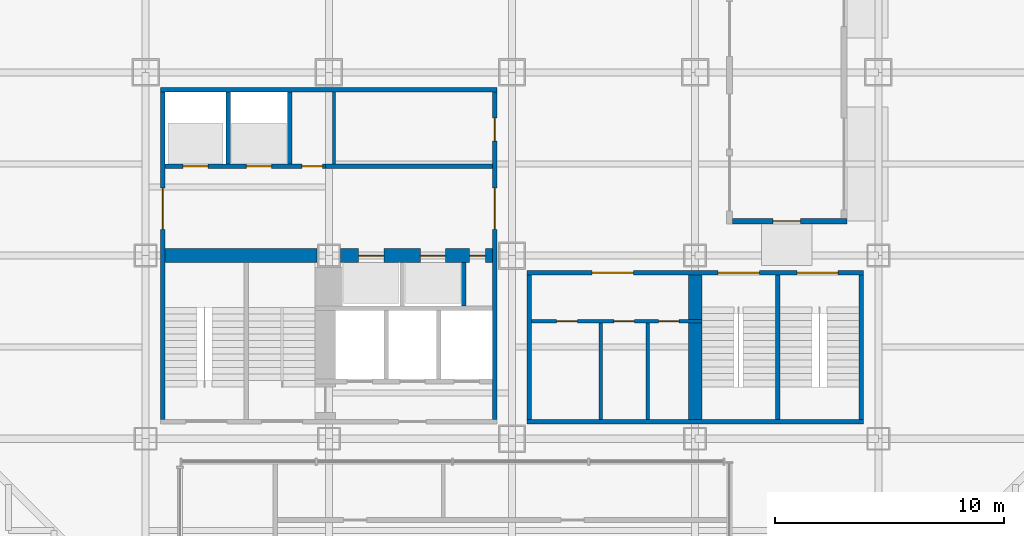
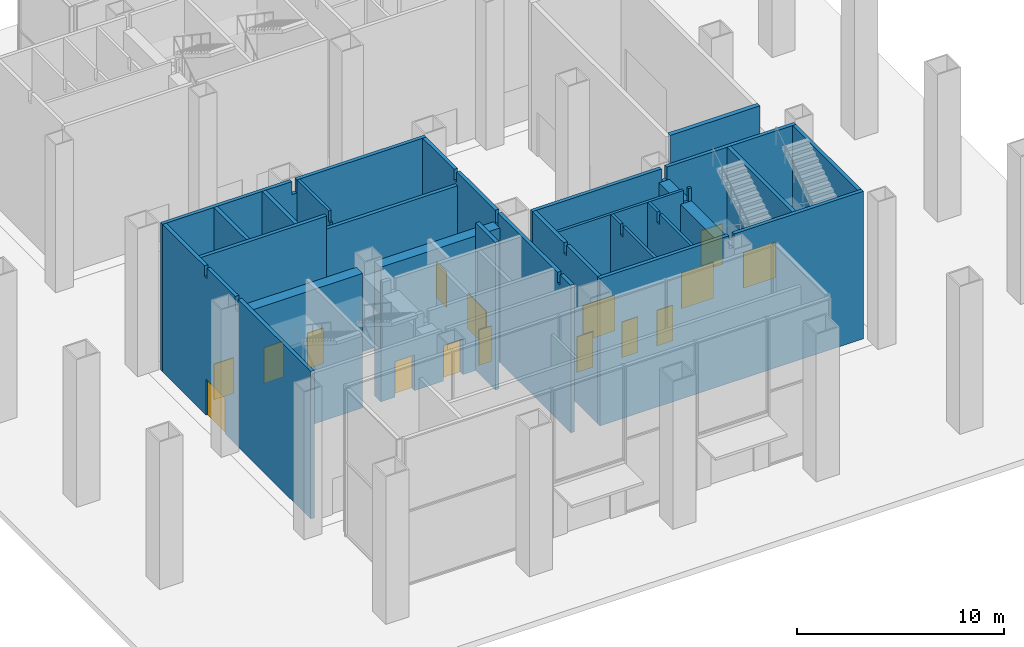
# One storey, part 8 of 14: 22 walls, 16 doors, 16 openings.
"""IFC4 building model written with IfcOpenShell, lengths in metres."""

from ifc_helpers import new_model, si_unit, direction, frame, frame_2d, origin, place, context, subcontext, project, spatial, polyline, rectangle, outline, extrude, material, layer, layer_set, type_object, element, fill, save


model = new_model("IFC4")

# Units and contexts
model_context = context("Model", 3, precision=1e-05, world=origin(), true_north=direction((0.0, 1.0)))
body_context = subcontext(model_context, "Body", "Model", "MODEL_VIEW")
ifc_project = project(units=[si_unit("LENGTHUNIT", "METRE"), si_unit("AREAUNIT", "SQUARE_METRE"), si_unit("VOLUMEUNIT", "CUBIC_METRE"), si_unit("PLANEANGLEUNIT", "RADIAN"), si_unit("MASSUNIT", "GRAM", prefix="KILO")], contexts=[model_context])

# Site, building, storey
site_placement = place(None, origin())
site = spatial("IfcSite", under=ifc_project, at=site_placement, CompositionType="ELEMENT")
building_placement = place(site_placement, origin())
building = spatial("IfcBuilding", under=site, at=building_placement, Name="Immortelle Media Tower", CompositionType="ELEMENT")
storey_placement = place(building_placement, origin())
storey = spatial("IfcBuildingStorey", under=building, at=storey_placement, Name="G", CompositionType="ELEMENT", Elevation=0.0)

# Wall, openings, doors
ifc_material_1 = material(Name="Fire-rated masonry blockwork", Category="masonry")
ifc_layer_1 = layer(ifc_material_1, 0.60009765625)
ifc_layer_set_1 = layer_set([ifc_layer_1], Name="Fire-rated masonry blockwork")
wall_type_1 = type_object("IfcWallType", Name="Core grid-line wall 600", PredefinedType="PARTITIONING", material=ifc_layer_set_1)
wall_1_placement = place(storey_placement, frame((16.510009765625, 16.0, 0.0), z_axis=(0.0, 0.0, 1.0), x_axis=(1.0, 0.0, 0.0)))
wall_1 = element("IfcWall", 1, at=wall_1_placement, inside=storey, type_object=wall_type_1, Name="Core grid-line wall SW", PredefinedType="PARTITIONING", context=body_context, shape_type="SweptSolid", body=[
    extrude(rectangle(XDim=6.639892578125, YDim=0.60009765625, at=frame_2d((3.31982421875, 0.0))), origin(), (0.0, 0.0, 1.0), 7.931884765625),
])
opening_1_placement = place(wall_1_placement, frame((0.7900390625, 0.0, 0.0)))
opening_1 = element("IfcOpeningElement", 2, at=opening_1_placement, cuts=wall_1, Name="Opening LD", PredefinedType="OPENING", context=body_context, shape_type="SweptSolid", body=[
    extrude(rectangle(XDim=1.10009765625, YDim=2.10009765625, at=frame_2d((0.550048828125, 1.050048828125))), frame((0.0, 0.31005859375, 0.0), z_axis=(0.0, -1.0, 0.0), x_axis=(1.0, 0.0, 0.0)), (0.0, 0.0, 1.0), 0.6201171875),
])
opening_2_placement = place(wall_1_placement, frame((3.489990234375, 0.0, 0.0)))
opening_2 = element("IfcOpeningElement", 3, at=opening_2_placement, cuts=wall_1, Name="Opening LD", PredefinedType="OPENING", context=body_context, shape_type="SweptSolid", body=[
    extrude(rectangle(XDim=1.10009765625, YDim=2.10009765625, at=frame_2d((0.550048828125, 1.050048828125))), frame((0.0, 0.31005859375, 0.0), z_axis=(0.0, -1.0, 0.0), x_axis=(1.0, 0.0, 0.0)), (0.0, 0.0, 1.0), 0.6201171875),
])
opening_3_placement = place(wall_1_placement, frame((6.33984375, 0.0, 0.0), z_axis=(0.0, 0.0, 1.0), x_axis=(-1.0, 0.0, 0.0)))
opening_3 = element("IfcOpeningElement", 4, at=opening_3_placement, cuts=wall_1, Name="Opening G-K014", PredefinedType="OPENING", context=body_context, shape_type="SweptSolid", body=[
    extrude(rectangle(XDim=0.699951171875, YDim=2.10009765625, at=frame_2d((0.35009765625, 1.050048828125))), frame((0.0, 0.31005859375, 0.0), z_axis=(0.0, -1.0, 0.0), x_axis=(1.0, 0.0, 0.0)), (0.0, 0.0, 1.0), 0.6201171875),
])
ifc_material_2 = material(Name="Stainless steel AISI 304", Category="steel")
door_type_1 = type_object("IfcDoorType", Name="Landing door 1100 x 2100", OperationType="SLIDING_TO_LEFT", PredefinedType="NOTDEFINED", material=ifc_material_2)
door_1_placement = place(opening_1_placement, origin())
door_1 = element("IfcDoor", 5, at=door_1_placement, inside=storey, type_object=door_type_1, Name="Landing door SK1 G", OperationType="SLIDING_TO_LEFT", OverallHeight=2.10009765625, OverallWidth=1.10009765625, PredefinedType="NOTDEFINED", context=body_context, shape_type="SweptSolid", body=[
    extrude(rectangle(XDim=1.10009765625, YDim=2.10009765625, at=frame_2d((0.550048828125, 1.050048828125))), frame((0.0, 0.02490234375, 0.0), z_axis=(0.0, -1.0, 0.0), x_axis=(1.0, 0.0, 0.0)), (0.0, 0.0, 1.0), 0.050048828125),
])
fill(opening_1, door_1)
door_2_placement = place(opening_2_placement, origin())
door_2 = element("IfcDoor", 6, at=door_2_placement, inside=storey, type_object=door_type_1, Name="Landing door SK2 G", OperationType="SLIDING_TO_LEFT", OverallHeight=2.10009765625, OverallWidth=1.10009765625, PredefinedType="NOTDEFINED", context=body_context, shape_type="SweptSolid", body=[
    extrude(rectangle(XDim=1.10009765625, YDim=2.10009765625, at=frame_2d((0.550048828125, 1.050048828125))), frame((0.0, 0.02490234375, 0.0), z_axis=(0.0, -1.0, 0.0), x_axis=(1.0, 0.0, 0.0)), (0.0, 0.0, 1.0), 0.050048828125),
])
fill(opening_2, door_2)
ifc_material_3 = material(Name="Galvanised steel door leaf and frame ASTM A653", Category="steel")
door_type_2 = type_object("IfcDoorType", Name="Service door 700 x 2100", OperationType="NOTDEFINED", PredefinedType="NOTDEFINED", material=ifc_material_3)
door_3_placement = place(opening_3_placement, origin())
door_3 = element("IfcDoor", 7, at=door_3_placement, inside=storey, type_object=door_type_2, Name="Service G-K014", OperationType="SINGLE_SWING_RIGHT", OverallHeight=2.10009765625, OverallWidth=0.699951171875, PredefinedType="NOTDEFINED", context=body_context, shape_type="SweptSolid", body=[
    extrude(rectangle(XDim=0.699951171875, YDim=2.10009765625, at=frame_2d((0.35009765625, 1.050048828125))), frame((0.0, 0.02490234375, 0.0), z_axis=(0.0, -1.0, 0.0), x_axis=(1.0, 0.0, 0.0)), (0.0, 0.0, 1.0), 0.050048828125),
])
fill(opening_3, door_3)

# Wall
ifc_material_4 = material(Name="Fire-rated gypsum board", Category="gypsum")
ifc_layer_2 = layer(ifc_material_4, 0.02490234375)
ifc_material_5 = material(Name="Steel ASTM A653 SS Gr 50 stud frame with mineral wool", Category="steel")
ifc_layer_3 = layer(ifc_material_5, 0.10009765625)
ifc_layer_4 = layer(ifc_material_4, 0.02490234375)
ifc_layer_set_2 = layer_set([ifc_layer_2, ifc_layer_3, ifc_layer_4], Name="Steel ASTM A653 SS Gr 50 stud frame with mineral wool")
wall_type_2 = type_object("IfcWallType", Name="Core partition 150", PredefinedType="PARTITIONING", material=ifc_layer_set_2)
wall_2_placement = place(storey_placement, frame((16.22509765625, 20.0, 0.0), z_axis=(0.0, 0.0, 1.0), x_axis=(0.0, 1.0, 0.0)))
element("IfcWall", 8, at=wall_2_placement, inside=storey, type_object=wall_type_2, Name="Core partition SW", PredefinedType="PARTITIONING", context=body_context, shape_type="SweptSolid", body=[
    extrude(outline(polyline([(0.0, 0.0), (3.14990234375, 0.0), (3.14990234375, 8.699951171875), (0.119384765625, 8.699951171875), (0.118408203125, 8.08203125), (0.0, 8.08203125), (0.0, 0.0)])), frame((0.0, 0.074951171875, 0.0), z_axis=(0.0, -1.0, 0.0), x_axis=(1.0, 0.0, 0.0)), (0.0, 0.0, 1.0), 0.14990234375),
])

# Wall, openings, doors
wall_3_placement = place(storey_placement, frame((24.85009765625, 13.125, 0.0), z_axis=(0.0, 0.0, 1.0), x_axis=(1.0, 0.0, 0.0)))
wall_3 = element("IfcWall", 9, at=wall_3_placement, inside=storey, type_object=wall_type_2, Name="Core partition SE", PredefinedType="PARTITIONING", context=body_context, shape_type="SweptSolid", body=[
    extrude(outline(polyline([(0.0, 0.0), (7.449951171875, 0.0), (7.449951171875, 8.699951171875), (7.28857421875, 8.699951171875), (7.28759765625, 7.931884765625), (7.012451171875, 7.931884765625), (7.011474609375, 8.699951171875), (0.0, 8.699951171875), (0.0, 0.0)])), frame((0.0, 0.074951171875, 0.0), z_axis=(0.0, -1.0, 0.0), x_axis=(1.0, 0.0, 0.0)), (0.0, 0.0, 1.0), 0.14990234375),
])
opening_4_placement = place(wall_3_placement, frame((2.0, 0.0, 0.0), z_axis=(0.0, 0.0, 1.0), x_axis=(-1.0, 0.0, 0.0)))
opening_4 = element("IfcOpeningElement", 10, at=opening_4_placement, cuts=wall_3, Name="Opening G-K017", PredefinedType="OPENING", context=body_context, shape_type="SweptSolid", body=[
    extrude(rectangle(XDim=0.89990234375, YDim=2.10009765625, at=frame_2d((0.449951171875, 1.050048828125))), frame((0.0, 0.0849609375, 0.0), z_axis=(0.0, -1.0, 0.0), x_axis=(1.0, 0.0, 0.0)), (0.0, 0.0, 1.0), 0.169921875),
])
opening_5_placement = place(wall_3_placement, frame((4.5, 0.0, 0.0), z_axis=(0.0, 0.0, 1.0), x_axis=(-1.0, 0.0, 0.0)))
opening_5 = element("IfcOpeningElement", 11, at=opening_5_placement, cuts=wall_3, Name="Opening G-K019", PredefinedType="OPENING", context=body_context, shape_type="SweptSolid", body=[
    extrude(rectangle(XDim=0.89990234375, YDim=2.10009765625, at=frame_2d((0.449951171875, 1.050048828125))), frame((0.0, 0.0849609375, 0.0), z_axis=(0.0, -1.0, 0.0), x_axis=(1.0, 0.0, 0.0)), (0.0, 0.0, 1.0), 0.169921875),
])
opening_6_placement = place(wall_3_placement, frame((6.449951171875, 0.0, 0.0), z_axis=(0.0, 0.0, 1.0), x_axis=(-1.0, 0.0, 0.0)))
opening_6 = element("IfcOpeningElement", 12, at=opening_6_placement, cuts=wall_3, Name="Opening G-K020", PredefinedType="OPENING", context=body_context, shape_type="SweptSolid", body=[
    extrude(rectangle(XDim=0.89990234375, YDim=2.10009765625, at=frame_2d((0.449951171875, 1.050048828125))), frame((0.0, 0.0849609375, 0.0), z_axis=(0.0, -1.0, 0.0), x_axis=(1.0, 0.0, 0.0)), (0.0, 0.0, 1.0), 0.169921875),
])
ifc_material_6 = material(Name="Timber", Category="wood")
door_type_3 = type_object("IfcDoorType", Name="Room door 900 x 2100", OperationType="NOTDEFINED", PredefinedType="NOTDEFINED", material=ifc_material_6)
door_4_placement = place(opening_4_placement, origin())
door_4 = element("IfcDoor", 13, at=door_4_placement, inside=storey, type_object=door_type_3, Name="Room G-K017", OperationType="SINGLE_SWING_RIGHT", OverallHeight=2.10009765625, OverallWidth=0.89990234375, PredefinedType="NOTDEFINED", context=body_context, shape_type="SweptSolid", body=[
    extrude(rectangle(XDim=0.89990234375, YDim=2.10009765625, at=frame_2d((0.449951171875, 1.050048828125))), frame((0.0, 0.02490234375, 0.0), z_axis=(0.0, -1.0, 0.0), x_axis=(1.0, 0.0, 0.0)), (0.0, 0.0, 1.0), 0.050048828125),
])
fill(opening_4, door_4)
door_5_placement = place(opening_5_placement, origin())
door_5 = element("IfcDoor", 14, at=door_5_placement, inside=storey, type_object=door_type_3, Name="Room G-K019", OperationType="SINGLE_SWING_RIGHT", OverallHeight=2.10009765625, OverallWidth=0.89990234375, PredefinedType="NOTDEFINED", context=body_context, shape_type="SweptSolid", body=[
    extrude(rectangle(XDim=0.89990234375, YDim=2.10009765625, at=frame_2d((0.449951171875, 1.050048828125))), frame((0.0, 0.02490234375, 0.0), z_axis=(0.0, -1.0, 0.0), x_axis=(1.0, 0.0, 0.0)), (0.0, 0.0, 1.0), 0.050048828125),
])
fill(opening_5, door_5)
door_type_4 = type_object("IfcDoorType", Name="Service door 900 x 2100", OperationType="NOTDEFINED", PredefinedType="NOTDEFINED", material=ifc_material_3)
door_6_placement = place(opening_6_placement, origin())
door_6 = element("IfcDoor", 15, at=door_6_placement, inside=storey, type_object=door_type_4, Name="Service G-K020", OperationType="SINGLE_SWING_LEFT", OverallHeight=2.10009765625, OverallWidth=0.89990234375, PredefinedType="NOTDEFINED", context=body_context, shape_type="SweptSolid", body=[
    extrude(rectangle(XDim=0.89990234375, YDim=2.10009765625, at=frame_2d((0.449951171875, 1.050048828125))), frame((0.0, 0.02490234375, 0.0), z_axis=(0.0, -1.0, 0.0), x_axis=(1.0, 0.0, 0.0)), (0.0, 0.0, 1.0), 0.050048828125),
])
fill(opening_6, door_6)

# Walls
for number, where, z_axis, x_axis, name in (
    (16, (27.875, 8.85009765625, 0.0), (0.0, 0.0, 1.0), (0.0, 1.0, 0.0), "Core partition SE"),
    (17, (29.925048828125, 8.85009765625, 0.0), (0.0, 0.0, 1.0), (0.0, 1.0, 0.0), "Core partition SE"),
):
    element("IfcWall", number, at=place(storey_placement, frame(where, z_axis=z_axis, x_axis=x_axis)), inside=storey, type_object=wall_type_2, Name=name, PredefinedType="PARTITIONING", context=body_context, shape_type="SweptSolid", body=[
        extrude(outline(polyline([(0.0, 0.0), (4.199951171875, 0.0), (4.199951171875, 8.699951171875), (3.26953125, 8.699951171875), (3.2685546875, 8.08203125), (3.031494140625, 8.08203125), (3.030517578125, 8.699951171875), (0.0, 8.699951171875), (0.0, 0.0)])), frame((0.0, 0.074951171875, 0.0), z_axis=(0.0, -1.0, 0.0), x_axis=(1.0, 0.0, 0.0)), (0.0, 0.0, 1.0), 0.14990234375),
    ])
ifc_layer_5 = layer(ifc_material_4, 0.03759765625)
ifc_layer_6 = layer(ifc_material_5, 0.125)
ifc_layer_7 = layer(ifc_material_4, 0.03759765625)
ifc_layer_set_3 = layer_set([ifc_layer_5, ifc_layer_6, ifc_layer_7], Name="Steel ASTM A653 SS Gr 50 stud frame with mineral wool")
wall_type_3 = type_object("IfcWallType", Name="Core shaft wall 200", PredefinedType="PARTITIONING", material=ifc_layer_set_3)
wall_4_placement = place(storey_placement, frame((8.64990234375, 23.25, 0.0), z_axis=(0.0, 0.0, 1.0), x_axis=(1.0, 0.0, 0.0)))
element("IfcWall", 18, at=wall_4_placement, inside=storey, type_object=wall_type_3, Name="Core shaft wall SW", PredefinedType="PARTITIONING", context=body_context, shape_type="SweptSolid", body=[
    extrude(outline(polyline([(0.0, 0.0), (14.7001953125, 0.0), (14.699951171875, 8.699951171875), (7.488525390625, 8.699951171875), (7.487548828125, 7.931884765625), (7.21240234375, 7.931884765625), (7.21142578125, 8.699951171875), (0.0, 8.699951171875), (0.0, 0.0)])), frame((0.0, 0.10009765625, 0.0), z_axis=(0.0, -1.0, 0.0), x_axis=(1.0, 0.0, 0.0)), (0.0, 0.0, 1.0), 0.199951171875),
])

# Wall, openings, doors
wall_5_placement = place(storey_placement, frame((8.85009765625, 19.89990234375, 0.0), z_axis=(0.0, 0.0, 1.0), x_axis=(1.0, 0.0, 0.0)))
wall_5 = element("IfcWall", 19, at=wall_5_placement, inside=storey, type_object=wall_type_3, Name="Core shaft wall SW", PredefinedType="PARTITIONING", context=body_context, shape_type="SweptSolid", body=[
    extrude(rectangle(XDim=7.012451171875, YDim=0.199951171875, at=frame_2d((3.50634765625, 0.0))), origin(), (0.0, 0.0, 1.0), 8.699951171875),
])
opening_7_placement = place(wall_5_placement, frame((0.77490234375, 0.0, 0.0)))
opening_7 = element("IfcOpeningElement", 20, at=opening_7_placement, cuts=wall_5, Name="Opening LD", PredefinedType="OPENING", context=body_context, shape_type="SweptSolid", body=[
    extrude(rectangle(XDim=1.10009765625, YDim=2.10009765625, at=frame_2d((0.550048828125, 1.050048828125))), frame((0.0, 0.10986328125, 0.0), z_axis=(0.0, -1.0, 0.0), x_axis=(1.0, 0.0, 0.0)), (0.0, 0.0, 1.0), 0.219970703125),
])
opening_8_placement = place(wall_5_placement, frame((3.550048828125, 0.0, 0.0)))
opening_8 = element("IfcOpeningElement", 21, at=opening_8_placement, cuts=wall_5, Name="Opening LD", PredefinedType="OPENING", context=body_context, shape_type="SweptSolid", body=[
    extrude(rectangle(XDim=1.10009765625, YDim=2.10009765625, at=frame_2d((0.550048828125, 1.050048828125))), frame((0.0, 0.10986328125, 0.0), z_axis=(0.0, -1.0, 0.0), x_axis=(1.0, 0.0, 0.0)), (0.0, 0.0, 1.0), 0.219970703125),
])
opening_9_placement = place(wall_5_placement, frame((5.97509765625, 0.0, 0.0)))
opening_9 = element("IfcOpeningElement", 22, at=opening_9_placement, cuts=wall_5, Name="Opening G-K006", PredefinedType="OPENING", context=body_context, shape_type="SweptSolid", body=[
    extrude(rectangle(XDim=0.89990234375, YDim=2.10009765625, at=frame_2d((0.449951171875, 1.050048828125))), frame((0.0, 0.10986328125, 0.0), z_axis=(0.0, -1.0, 0.0), x_axis=(1.0, 0.0, 0.0)), (0.0, 0.0, 1.0), 0.219970703125),
])
door_7_placement = place(opening_7_placement, origin())
door_7 = element("IfcDoor", 23, at=door_7_placement, inside=storey, type_object=door_type_1, Name="Landing door SA1 G", OperationType="SLIDING_TO_LEFT", OverallHeight=2.10009765625, OverallWidth=1.10009765625, PredefinedType="NOTDEFINED", context=body_context, shape_type="SweptSolid", body=[
    extrude(rectangle(XDim=1.10009765625, YDim=2.10009765625, at=frame_2d((0.550048828125, 1.050048828125))), frame((0.0, 0.02490234375, 0.0), z_axis=(0.0, -1.0, 0.0), x_axis=(1.0, 0.0, 0.0)), (0.0, 0.0, 1.0), 0.050048828125),
])
fill(opening_7, door_7)
door_8_placement = place(opening_8_placement, origin())
door_8 = element("IfcDoor", 24, at=door_8_placement, inside=storey, type_object=door_type_1, Name="Landing door SA2 G", OperationType="SLIDING_TO_LEFT", OverallHeight=2.10009765625, OverallWidth=1.10009765625, PredefinedType="NOTDEFINED", context=body_context, shape_type="SweptSolid", body=[
    extrude(rectangle(XDim=1.10009765625, YDim=2.10009765625, at=frame_2d((0.550048828125, 1.050048828125))), frame((0.0, 0.02490234375, 0.0), z_axis=(0.0, -1.0, 0.0), x_axis=(1.0, 0.0, 0.0)), (0.0, 0.0, 1.0), 0.050048828125),
])
fill(opening_8, door_8)
door_9_placement = place(opening_9_placement, origin())
door_9 = element("IfcDoor", 25, at=door_9_placement, inside=storey, type_object=door_type_3, Name="Room G-K006", OperationType="SINGLE_SWING_RIGHT", OverallHeight=2.10009765625, OverallWidth=0.89990234375, PredefinedType="NOTDEFINED", context=body_context, shape_type="SweptSolid", body=[
    extrude(rectangle(XDim=0.89990234375, YDim=2.10009765625, at=frame_2d((0.449951171875, 1.050048828125))), frame((0.0, 0.02490234375, 0.0), z_axis=(0.0, -1.0, 0.0), x_axis=(1.0, 0.0, 0.0)), (0.0, 0.0, 1.0), 0.050048828125),
])
fill(opening_9, door_9)

# Walls
wall_6_placement = place(storey_placement, frame((15.862548828125, 19.89990234375, 0.0), z_axis=(0.0, 0.0, 1.0), x_axis=(1.0, 0.0, 0.0)))
element("IfcWall", 26, at=wall_6_placement, inside=storey, type_object=wall_type_3, Name="Core shaft wall SW", PredefinedType="PARTITIONING", context=body_context, shape_type="SweptSolid", body=[
    extrude(rectangle(XDim=7.287353515625, YDim=0.199951171875, at=frame_2d((3.6435546875, 0.0))), origin(), (0.0, 0.0, 1.0), 7.931884765625),
])
for number, where, z_axis, x_axis, name in (
    (27, (11.60009765625, 20.0, 0.0), (0.0, 0.0, 1.0), (0.0, 1.0, 0.0), "Core shaft wall SW"),
    (28, (14.300048828125, 20.0, 0.0), (0.0, 0.0, 1.0), (0.0, 1.0, 0.0), "Core shaft wall SW"),
):
    element("IfcWall", number, at=place(storey_placement, frame(where, z_axis=z_axis, x_axis=x_axis)), inside=storey, type_object=wall_type_3, Name=name, PredefinedType="PARTITIONING", context=body_context, shape_type="SweptSolid", body=[
        extrude(rectangle(XDim=3.14990234375, YDim=0.199951171875, at=frame_2d((1.574951171875, 0.0))), origin(), (0.0, 0.0, 1.0), 8.699951171875),
    ])
wall_7_placement = place(storey_placement, frame((21.89990234375, 13.800048828125, 0.0), z_axis=(0.0, 0.0, 1.0), x_axis=(0.0, 1.0, 0.0)))
element("IfcWall", 29, at=wall_7_placement, inside=storey, type_object=wall_type_3, Name="Core shaft wall SW", PredefinedType="PARTITIONING", context=body_context, shape_type="SweptSolid", body=[
    extrude(rectangle(XDim=1.89990234375, YDim=0.199951171875, at=frame_2d((0.949951171875, 0.0))), origin(), (0.0, 0.0, 1.0), 8.699951171875),
])

# Wall, openings, doors
wall_8_placement = place(storey_placement, frame((23.25, 8.85009765625, 0.0), z_axis=(0.0, 0.0, 1.0), x_axis=(0.0, 1.0, 0.0)))
wall_8 = element("IfcWall", 30, at=wall_8_placement, inside=storey, type_object=wall_type_3, Name="Core shaft wall SW", PredefinedType="PARTITIONING", context=body_context, shape_type="SweptSolid", body=[
    extrude(outline(polyline([(0.0, 0.0), (14.2998046875, 0.0), (14.300048828125, 8.699951171875), (11.26953125, 8.699951171875), (11.2685546875, 8.08203125), (11.031494140625, 8.08203125), (11.030517578125, 8.699951171875), (7.28857421875, 8.699951171875), (7.28759765625, 7.931884765625), (7.012451171875, 7.931884765625), (7.011474609375, 8.699951171875), (1.26953125, 8.699951171875), (1.2685546875, 8.08203125), (1.031494140625, 8.08203125), (1.030517578125, 8.699951171875), (0.0, 8.699951171875), (0.0, 0.0)])), frame((0.0, 0.10009765625, 0.0), z_axis=(0.0, -1.0, 0.0), x_axis=(1.0, 0.0, 0.0)), (0.0, 0.0, 1.0), 0.199951171875),
])
opening_10_placement = place(wall_8_placement, frame((8.300048828125, 0.0, 0.0)))
opening_10 = element("IfcOpeningElement", 31, at=opening_10_placement, cuts=wall_8, Name="Opening G-K015", PredefinedType="OPENING", context=body_context, shape_type="SweptSolid", body=[
    extrude(rectangle(XDim=1.800048828125, YDim=2.10009765625, at=frame_2d((0.89990234375, 1.050048828125))), frame((0.0, 0.10986328125, 0.0), z_axis=(0.0, -1.0, 0.0), x_axis=(1.0, 0.0, 0.0)), (0.0, 0.0, 1.0), 0.219970703125),
])
opening_11_placement = place(wall_8_placement, frame((13.14990234375, 0.0, 0.0), z_axis=(0.0, 0.0, 1.0), x_axis=(-1.0, 0.0, 0.0)))
opening_11 = element("IfcOpeningElement", 32, at=opening_11_placement, cuts=wall_8, Name="Opening G-K016", PredefinedType="OPENING", context=body_context, shape_type="SweptSolid", body=[
    extrude(rectangle(XDim=1.0, YDim=2.10009765625, at=frame_2d((0.5, 1.050048828125))), frame((0.0, 0.10986328125, 0.0), z_axis=(0.0, -1.0, 0.0), x_axis=(1.0, 0.0, 0.0)), (0.0, 0.0, 1.0), 0.219970703125),
])
door_type_5 = type_object("IfcDoorType", Name="Fire command room door 1000 x 2100", OperationType="NOTDEFINED", PredefinedType="NOTDEFINED", material=ifc_material_3)
door_10_placement = place(opening_11_placement, origin())
door_10 = element("IfcDoor", 33, at=door_10_placement, inside=storey, type_object=door_type_5, Name="Fire command room G-K016", OperationType="SINGLE_SWING_RIGHT", OverallHeight=2.10009765625, OverallWidth=1.0, PredefinedType="NOTDEFINED", context=body_context, shape_type="SweptSolid", body=[
    extrude(rectangle(XDim=1.0, YDim=2.10009765625, at=frame_2d((0.5, 1.050048828125))), frame((0.0, 0.02490234375, 0.0), z_axis=(0.0, -1.0, 0.0), x_axis=(1.0, 0.0, 0.0)), (0.0, 0.0, 1.0), 0.050048828125),
])
fill(opening_11, door_10)
door_type_6 = type_object("IfcDoorType", Name="Lift lobby door 1800 x 2100", OperationType="DOUBLE_DOOR_SINGLE_SWING", PredefinedType="NOTDEFINED", material=ifc_material_3)
door_11_placement = place(opening_10_placement, origin())
door_11 = element("IfcDoor", 34, at=door_11_placement, inside=storey, type_object=door_type_6, Name="Lift lobby G-K015", OperationType="DOUBLE_DOOR_SINGLE_SWING", OverallHeight=2.10009765625, OverallWidth=1.800048828125, PredefinedType="NOTDEFINED", context=body_context, shape_type="SweptSolid", body=[
    extrude(rectangle(XDim=1.800048828125, YDim=2.10009765625, at=frame_2d((0.89990234375, 1.050048828125))), frame((0.0, 0.02490234375, 0.0), z_axis=(0.0, -1.0, 0.0), x_axis=(1.0, 0.0, 0.0)), (0.0, 0.0, 1.0), 0.050048828125),
])
fill(opening_10, door_11)

# Wall
wall_9_placement = place(storey_placement, frame((24.75, 8.85009765625, 0.0), z_axis=(0.0, 0.0, 1.0), x_axis=(0.0, 1.0, 0.0)))
element("IfcWall", 35, at=wall_9_placement, inside=storey, type_object=wall_type_3, Name="Core shaft wall SE", PredefinedType="PARTITIONING", context=body_context, shape_type="SweptSolid", body=[
    extrude(outline(polyline([(0.0, 0.0), (6.2998046875, 0.0), (6.300048828125, 8.699951171875), (3.26953125, 8.699951171875), (3.2685546875, 8.08203125), (3.031494140625, 8.08203125), (3.030517578125, 8.699951171875), (0.0, 8.699951171875), (0.0, 0.0)])), frame((0.0, 0.10009765625, 0.0), z_axis=(0.0, -1.0, 0.0), x_axis=(1.0, 0.0, 0.0)), (0.0, 0.0, 1.0), 0.199951171875),
])

# Wall, opening, door
ifc_material_7 = material(Name="Pale aluminium cladding panel", Category="aluminium")
ifc_layer_8 = layer(ifc_material_7, 0.030029296875)
ifc_layer_9 = layer(ifc_material_5, 0.20751953125)
ifc_material_8 = material(Name="Moisture-resistant gypsum board", Category="gypsum")
ifc_layer_10 = layer(ifc_material_8, 0.012451171875)
ifc_layer_set_4 = layer_set([ifc_layer_8, ifc_layer_9, ifc_layer_10], Name="Steel ASTM A653 SS Gr 50 stud frame with mineral wool")
wall_type_4 = type_object("IfcWallType", Name="Pavilion portal wall 250", PredefinedType="STANDARD", material=ifc_layer_set_4)
wall_10_placement = place(storey_placement, frame((33.625, 17.5, 0.0), z_axis=(0.0, 0.0, 1.0), x_axis=(1.0, 0.0, 0.0)))
wall_10 = element("IfcWall", 36, at=wall_10_placement, inside=storey, type_object=wall_type_4, Name="Service pavilion wall G S 4", PredefinedType="STANDARD", context=body_context, shape_type="SweptSolid", body=[
    extrude(rectangle(XDim=5.0, YDim=0.25, at=frame_2d((2.5, 0.0))), origin(), (0.0, 0.0, 1.0), 8.699951171875),
])
opening_12_placement = place(wall_10_placement, frame((2.974853515625, 0.0, 0.0), z_axis=(0.0, 0.0, 1.0), x_axis=(-1.0, 0.0, 0.0)))
opening_12 = element("IfcOpeningElement", 37, at=opening_12_placement, cuts=wall_10, Name="Opening G-E07", PredefinedType="OPENING", context=body_context, shape_type="SweptSolid", body=[
    extrude(rectangle(XDim=1.199951171875, YDim=2.39990234375, at=frame_2d((0.60009765625, 1.199951171875))), frame((0.0, 0.135009765625, 0.0), z_axis=(0.0, -1.0, 0.0), x_axis=(1.0, 0.0, 0.0)), (0.0, 0.0, 1.0), 0.27001953125),
])
ifc_material_9 = material(Name="Galvanised steel door leaf ASTM A653, polyester powder coated", Category="steel")
door_type_7 = type_object("IfcDoorType", Name="Service door 1200", OperationType="NOTDEFINED", PredefinedType="DOOR", material=ifc_material_9)
door_12_placement = place(opening_12_placement, origin())
door_12 = element("IfcDoor", 38, at=door_12_placement, inside=storey, type_object=door_type_7, Name="Service door G-E07", OperationType="SINGLE_SWING_LEFT", OverallHeight=2.39990234375, OverallWidth=1.199951171875, PredefinedType="DOOR", context=body_context, shape_type="SweptSolid", body=[
    extrude(rectangle(XDim=1.199951171875, YDim=2.39990234375, at=frame_2d((0.60009765625, 1.199951171875))), frame((0.0, 0.02490234375, 0.0), z_axis=(0.0, -1.0, 0.0), x_axis=(1.0, 0.0, 0.0)), (0.0, 0.0, 1.0), 0.050048828125),
])
fill(opening_12, door_12)

ifc_material_10 = material(Name="Concrete C60", Category="concrete")
ifc_layer_11 = layer(ifc_material_10, 0.199951171875)
ifc_layer_set_5 = layer_set([ifc_layer_11], Name="Concrete C60")
wall_type_5 = type_object("IfcWallType", Name="Stair shaft wall 200", PredefinedType="PARTITIONING", material=ifc_layer_set_5)
wall_11_placement = place(storey_placement, frame((8.75, 8.85009765625, 0.0), z_axis=(0.0, 0.0, 1.0), x_axis=(0.0, 1.0, 0.0)))
wall_11 = element("IfcWall", 39, at=wall_11_placement, inside=storey, type_object=wall_type_5, Name="Stair shaft wall SW", PredefinedType="PARTITIONING", context=body_context, shape_type="SweptSolid", body=[
    extrude(outline(polyline([(0.0, 0.0), (14.2998046875, 0.0), (14.300048828125, 8.699951171875), (10.26953125, 8.699951171875), (10.2685546875, 8.08203125), (10.031494140625, 8.08203125), (10.030517578125, 8.699951171875), (7.28857421875, 8.699951171875), (7.28759765625, 7.931884765625), (7.012451171875, 7.931884765625), (7.011474609375, 8.699951171875), (0.0, 8.699951171875), (0.0, 0.0)])), frame((0.0, 0.10009765625, 0.0), z_axis=(0.0, -1.0, 0.0), x_axis=(1.0, 0.0, 0.0)), (0.0, 0.0, 1.0), 0.199951171875),
])
opening_13_placement = place(wall_11_placement, frame((8.300048828125, 0.0, 0.0)))
opening_13 = element("IfcOpeningElement", 40, at=opening_13_placement, cuts=wall_11, Name="Opening G-K001", PredefinedType="OPENING", context=body_context, shape_type="SweptSolid", body=[
    extrude(rectangle(XDim=1.800048828125, YDim=2.10009765625, at=frame_2d((0.89990234375, 1.050048828125))), frame((0.0, 0.10986328125, 0.0), z_axis=(0.0, -1.0, 0.0), x_axis=(1.0, 0.0, 0.0)), (0.0, 0.0, 1.0), 0.219970703125),
])
door_13_placement = place(opening_13_placement, origin())
door_13 = element("IfcDoor", 41, at=door_13_placement, inside=storey, type_object=door_type_6, Name="Lift lobby G-K001", OperationType="DOUBLE_DOOR_SINGLE_SWING", OverallHeight=2.10009765625, OverallWidth=1.800048828125, PredefinedType="NOTDEFINED", context=body_context, shape_type="SweptSolid", body=[
    extrude(rectangle(XDim=1.800048828125, YDim=2.10009765625, at=frame_2d((0.89990234375, 1.050048828125))), frame((0.0, 0.02490234375, 0.0), z_axis=(0.0, -1.0, 0.0), x_axis=(1.0, 0.0, 0.0)), (0.0, 0.0, 1.0), 0.050048828125),
])
fill(opening_13, door_13)

# Wall
wall_12_placement = place(storey_placement, frame((24.64990234375, 8.75, 0.0), z_axis=(0.0, 0.0, 1.0), x_axis=(1.0, 0.0, 0.0)))
element("IfcWall", 42, at=wall_12_placement, inside=storey, type_object=wall_type_5, Name="Stair shaft wall SE", PredefinedType="PARTITIONING", context=body_context, shape_type="SweptSolid", body=[
    extrude(outline(polyline([(0.0, 0.0), (14.7001953125, 0.0), (14.699951171875, 8.699951171875), (7.488525390625, 8.699951171875), (7.487548828125, 7.931884765625), (7.21240234375, 7.931884765625), (7.21142578125, 8.699951171875), (0.0, 8.699951171875), (0.0, 0.0)])), frame((0.0, 0.10009765625, 0.0), z_axis=(0.0, -1.0, 0.0), x_axis=(1.0, 0.0, 0.0)), (0.0, 0.0, 1.0), 0.199951171875),
])

# Wall, openings, doors
wall_13_placement = place(storey_placement, frame((24.64990234375, 15.25, 0.0), z_axis=(0.0, 0.0, 1.0), x_axis=(1.0, 0.0, 0.0)))
wall_13 = element("IfcWall", 43, at=wall_13_placement, inside=storey, type_object=wall_type_5, Name="Stair shaft wall SE", PredefinedType="PARTITIONING", context=body_context, shape_type="SweptSolid", body=[
    extrude(outline(polyline([(0.0, 0.0), (14.7001953125, 0.0), (14.699951171875, 8.699951171875), (7.488525390625, 8.699951171875), (7.487548828125, 7.931884765625), (7.21240234375, 7.931884765625), (7.21142578125, 8.699951171875), (0.0, 8.699951171875), (0.0, 0.0)])), frame((0.0, 0.10009765625, 0.0), z_axis=(0.0, -1.0, 0.0), x_axis=(1.0, 0.0, 0.0)), (0.0, 0.0, 1.0), 0.199951171875),
])
opening_14_placement = place(wall_13_placement, frame((2.85009765625, 0.0, 0.0)))
opening_14 = element("IfcOpeningElement", 44, at=opening_14_placement, cuts=wall_13, Name="Opening G-K018", PredefinedType="OPENING", context=body_context, shape_type="SweptSolid", body=[
    extrude(rectangle(XDim=1.800048828125, YDim=2.10009765625, at=frame_2d((0.89990234375, 1.050048828125))), frame((0.0, 0.10986328125, 0.0), z_axis=(0.0, -1.0, 0.0), x_axis=(1.0, 0.0, 0.0)), (0.0, 0.0, 1.0), 0.219970703125),
])
opening_15_placement = place(wall_13_placement, frame((8.35009765625, 0.0, 0.0)))
opening_15 = element("IfcOpeningElement", 45, at=opening_15_placement, cuts=wall_13, Name="Opening G-K021", PredefinedType="OPENING", context=body_context, shape_type="SweptSolid", body=[
    extrude(rectangle(XDim=1.800048828125, YDim=2.10009765625, at=frame_2d((0.89990234375, 1.050048828125))), frame((0.0, 0.10986328125, 0.0), z_axis=(0.0, -1.0, 0.0), x_axis=(1.0, 0.0, 0.0)), (0.0, 0.0, 1.0), 0.219970703125),
])
opening_16_placement = place(wall_13_placement, frame((11.800048828125, 0.0, 0.0)))
opening_16 = element("IfcOpeningElement", 46, at=opening_16_placement, cuts=wall_13, Name="Opening G-K022", PredefinedType="OPENING", context=body_context, shape_type="SweptSolid", body=[
    extrude(rectangle(XDim=1.800048828125, YDim=2.10009765625, at=frame_2d((0.89990234375, 1.050048828125))), frame((0.0, 0.10986328125, 0.0), z_axis=(0.0, -1.0, 0.0), x_axis=(1.0, 0.0, 0.0)), (0.0, 0.0, 1.0), 0.219970703125),
])
door_14_placement = place(opening_14_placement, origin())
door_14 = element("IfcDoor", 47, at=door_14_placement, inside=storey, type_object=door_type_6, Name="Lift lobby G-K018", OperationType="DOUBLE_DOOR_SINGLE_SWING", OverallHeight=2.10009765625, OverallWidth=1.800048828125, PredefinedType="NOTDEFINED", context=body_context, shape_type="SweptSolid", body=[
    extrude(rectangle(XDim=1.800048828125, YDim=2.10009765625, at=frame_2d((0.89990234375, 1.050048828125))), frame((0.0, 0.02490234375, 0.0), z_axis=(0.0, -1.0, 0.0), x_axis=(1.0, 0.0, 0.0)), (0.0, 0.0, 1.0), 0.050048828125),
])
fill(opening_14, door_14)
door_type_8 = type_object("IfcDoorType", Name="Stair exit door 1800 x 2100", OperationType="DOUBLE_DOOR_SINGLE_SWING", PredefinedType="NOTDEFINED", material=ifc_material_3)
door_15_placement = place(opening_15_placement, origin())
door_15 = element("IfcDoor", 48, at=door_15_placement, inside=storey, type_object=door_type_8, Name="Stair exit G-K021", OperationType="DOUBLE_DOOR_SINGLE_SWING", OverallHeight=2.10009765625, OverallWidth=1.800048828125, PredefinedType="NOTDEFINED", context=body_context, shape_type="SweptSolid", body=[
    extrude(rectangle(XDim=1.800048828125, YDim=2.10009765625, at=frame_2d((0.89990234375, 1.050048828125))), frame((0.0, 0.02490234375, 0.0), z_axis=(0.0, -1.0, 0.0), x_axis=(1.0, 0.0, 0.0)), (0.0, 0.0, 1.0), 0.050048828125),
])
fill(opening_15, door_15)
door_16_placement = place(opening_16_placement, origin())
door_16 = element("IfcDoor", 49, at=door_16_placement, inside=storey, type_object=door_type_8, Name="Stair exit G-K022", OperationType="DOUBLE_DOOR_SINGLE_SWING", OverallHeight=2.10009765625, OverallWidth=1.800048828125, PredefinedType="NOTDEFINED", context=body_context, shape_type="SweptSolid", body=[
    extrude(rectangle(XDim=1.800048828125, YDim=2.10009765625, at=frame_2d((0.89990234375, 1.050048828125))), frame((0.0, 0.02490234375, 0.0), z_axis=(0.0, -1.0, 0.0), x_axis=(1.0, 0.0, 0.0)), (0.0, 0.0, 1.0), 0.050048828125),
])
fill(opening_16, door_16)

# Walls
for number, where, z_axis, x_axis, name in (
    (50, (35.60009765625, 8.85009765625, 0.0), (0.0, 0.0, 1.0), (0.0, 1.0, 0.0), "Stair shaft wall SE"),
    (51, (39.25, 8.85009765625, 0.0), (0.0, 0.0, 1.0), (0.0, 1.0, 0.0), "Stair shaft wall SE"),
):
    element("IfcWall", number, at=place(storey_placement, frame(where, z_axis=z_axis, x_axis=x_axis)), inside=storey, type_object=wall_type_5, Name=name, PredefinedType="PARTITIONING", context=body_context, shape_type="SweptSolid", body=[
        extrude(rectangle(XDim=6.2998046875, YDim=0.199951171875, at=frame_2d((3.14990234375, 0.0))), origin(), (0.0, 0.0, 1.0), 8.699951171875),
    ])
ifc_layer_12 = layer(ifc_material_10, 0.60009765625)
ifc_layer_set_6 = layer_set([ifc_layer_12], Name="Concrete C60")
wall_type_6 = type_object("IfcWallType", Name="Stair shaft wall 600", PredefinedType="PARTITIONING", material=ifc_layer_set_6)
wall_14_placement = place(storey_placement, frame((8.85009765625, 16.0, 0.0), z_axis=(0.0, 0.0, 1.0), x_axis=(1.0, 0.0, 0.0)))
element("IfcWall", 52, at=wall_14_placement, inside=storey, type_object=wall_type_6, Name="Stair shaft wall SW", PredefinedType="PARTITIONING", context=body_context, shape_type="SweptSolid", body=[
    extrude(rectangle(XDim=6.639892578125, YDim=0.60009765625, at=frame_2d((3.31982421875, 0.0))), origin(), (0.0, 0.0, 1.0), 7.931884765625),
])
wall_15_placement = place(storey_placement, frame((32.0, 8.85009765625, 0.0), z_axis=(0.0, 0.0, 1.0), x_axis=(0.0, 1.0, 0.0)))
element("IfcWall", 53, at=wall_15_placement, inside=storey, type_object=wall_type_6, Name="Stair shaft wall SE", PredefinedType="PARTITIONING", context=body_context, shape_type="SweptSolid", body=[
    extrude(rectangle(XDim=4.199951171875, YDim=0.60009765625, at=frame_2d((2.10009765625, 0.0))), origin(), (0.0, 0.0, 1.0), 7.931884765625),
])
wall_16_placement = place(storey_placement, frame((32.0, 13.199951171875, 0.0), z_axis=(0.0, 0.0, 1.0), x_axis=(0.0, 1.0, 0.0)))
element("IfcWall", 54, at=wall_16_placement, inside=storey, type_object=wall_type_6, Name="Stair shaft wall SE", PredefinedType="PARTITIONING", context=body_context, shape_type="SweptSolid", body=[
    extrude(rectangle(XDim=1.949951171875, YDim=0.60009765625, at=frame_2d((0.97509765625, 0.0))), origin(), (0.0, 0.0, 1.0), 7.931884765625),
])

save(model, "model.ifc")
